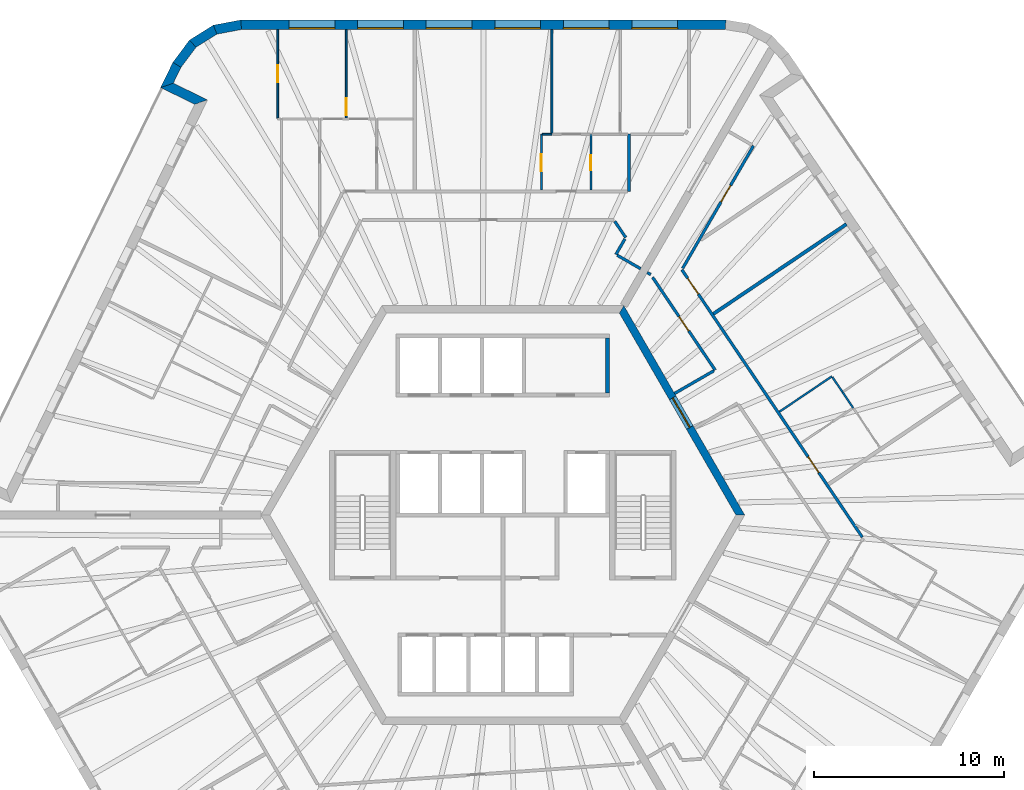
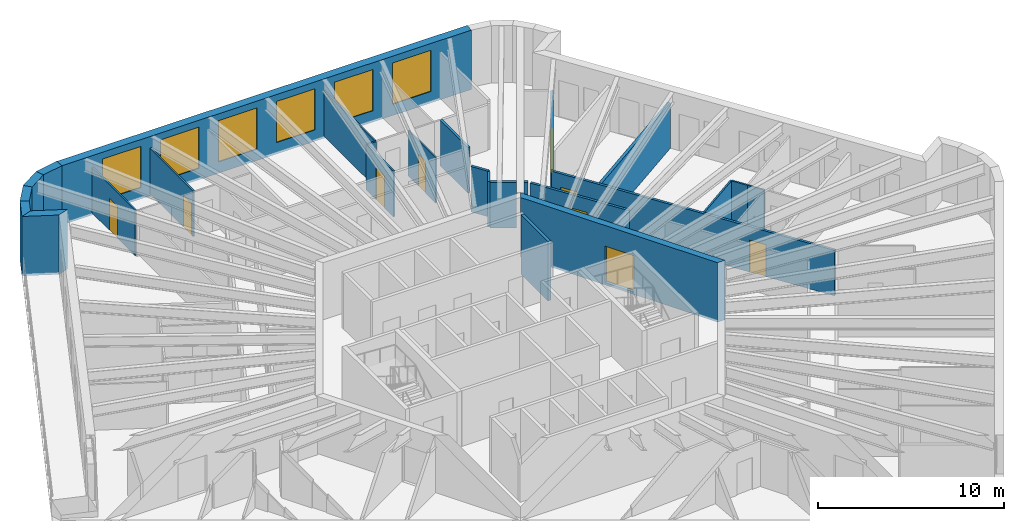
# One storey, part 9 of 12: 27 walls, 9 doors, 6 windows, 15 openings.
"""IFC4 building model written with IfcOpenShell, lengths in metres."""

from ifc_helpers import new_model, si_unit, direction, frame, frame_2d, origin, place, context, subcontext, project, spatial, polyline, rectangle, outline, extrude, material, layer, layer_set, type_object, element, fill, save


model = new_model("IFC4")

# Units and contexts
model_context = context("Model", 3, precision=1e-05, world=origin(), true_north=direction((0.0, 1.0)))
body_context = subcontext(model_context, "Body", "Model", "MODEL_VIEW")
ifc_project = project(units=[si_unit("LENGTHUNIT", "METRE"), si_unit("AREAUNIT", "SQUARE_METRE"), si_unit("VOLUMEUNIT", "CUBIC_METRE"), si_unit("PLANEANGLEUNIT", "RADIAN"), si_unit("MASSUNIT", "GRAM", prefix="KILO")], contexts=[model_context])

# Site, building, storey
site_placement = place(None, origin())
site = spatial("IfcSite", under=ifc_project, at=site_placement, CompositionType="ELEMENT")
building_placement = place(site_placement, origin())
building = spatial("IfcBuilding", under=site, at=building_placement, Name="Tarnside Tower", CompositionType="ELEMENT")
storey_placement = place(building_placement, frame((0.0, 0.0, 306.89990234375)))
storey = spatial("IfcBuildingStorey", under=building, at=storey_placement, Name="L74", CompositionType="ELEMENT", Elevation=306.89990234375)

# Wall, opening, door
ifc_material_1 = material(Name="Gypsum board partition on steel studs", Category="steel")
ifc_layer_1 = layer(ifc_material_1, 0.10009765625)
ifc_layer_set_1 = layer_set([ifc_layer_1], Name="Bathroom wall 100")
wall_type_1 = type_object("IfcWallType", Name="Bathroom wall 100", PredefinedType="PARTITIONING", material=ifc_layer_set_1)
wall_1_placement = place(storey_placement, frame((4.626708984375, 17.074951171875, 0.0), z_axis=(0.0, 0.0, 1.0), x_axis=(0.0, 1.0, 0.0)))
wall_1 = element("IfcWall", 1, at=wall_1_placement, inside=storey, type_object=wall_type_1, Name="Bathroom wall 24088", PredefinedType="PARTITIONING", context=body_context, shape_type="SweptSolid", body=[
    extrude(rectangle(XDim=2.925048828125, YDim=0.10009765625, at=frame_2d((1.46240234375, 0.0))), origin(), (0.0, 0.0, 1.0), 2.98779296875),
])
opening_1_placement = place(wall_1_placement, frame((1.02490234375, 0.0, 0.0)))
opening_1 = element("IfcOpeningElement", 2, at=opening_1_placement, cuts=wall_1, Name="Opening D-B1", PredefinedType="OPENING", context=body_context, shape_type="SweptSolid", body=[
    extrude(rectangle(XDim=0.800048828125, YDim=2.10009765625, at=frame_2d((0.39990234375, 1.050048828125))), frame((0.0, 0.06005859375, 0.0), z_axis=(0.0, -1.0, 0.0), x_axis=(1.0, 0.0, 0.0)), (0.0, 0.0, 1.0), 0.1201171875),
])
ifc_material_2 = material(Name="Timber door leaf", Category="wood")
door_type_1 = type_object("IfcDoorType", Name="Bathroom door 800", OperationType="NOTDEFINED", PredefinedType="DOOR", material=ifc_material_2)
door_1_placement = place(opening_1_placement, origin())
door_1 = element("IfcDoor", 3, at=door_1_placement, inside=storey, type_object=door_type_1, Name="Bathroom door 24002", OperationType="SINGLE_SWING_RIGHT", OverallHeight=2.10009765625, OverallWidth=0.800048828125, PredefinedType="DOOR", context=body_context, shape_type="SweptSolid", body=[
    extrude(rectangle(XDim=0.800048828125, YDim=2.10009765625, at=frame_2d((0.39990234375, 1.050048828125))), frame((0.0, 0.02490234375, 0.0), z_axis=(0.0, -1.0, 0.0), x_axis=(1.0, 0.0, 0.0)), (0.0, 0.0, 1.0), 0.050048828125),
])
fill(opening_1, door_1)

# Walls
wall_2_placement = place(storey_placement, frame((14.524658203125, 5.4248046875, 0.0), z_axis=(0.0, 0.0, 1.0), x_axis=(0.82903334026, 0.559199178055, 0.0)))
element("IfcWall", 4, at=wall_2_placement, inside=storey, type_object=wall_type_1, Name="Bathroom wall 24159", PredefinedType="PARTITIONING", context=body_context, shape_type="SweptSolid", body=[
    extrude(rectangle(XDim=3.324951171875, YDim=0.10009765625, at=frame_2d((1.66259765625, 0.0))), origin(), (0.0, 0.0, 1.0), 2.98779296875),
])
wall_3_placement = place(storey_placement, frame((17.30908203125, 7.24267578125, 0.0), z_axis=(0.0, 0.0, 1.0), x_axis=(0.559248234521, -0.829000248604, 0.0)))
element("IfcWall", 5, at=wall_3_placement, inside=storey, type_object=wall_type_1, Name="Bathroom wall 24160", PredefinedType="PARTITIONING", context=body_context, shape_type="SweptSolid", body=[
    extrude(rectangle(XDim=0.9521484375, YDim=0.10009765625, at=frame_2d((0.47607421875, 0.0))), origin(), (0.0, 0.0, 1.0), 2.98779296875),
])
wall_4_placement = place(storey_placement, frame((18.400634765625, 5.624267578125, 0.0), z_axis=(0.0, 0.0, 1.0), x_axis=(-0.559133879296, 0.829077381806, 0.0)))
element("IfcWall", 6, at=wall_4_placement, inside=storey, type_object=wall_type_1, Name="Bathroom wall 24165", PredefinedType="PARTITIONING", context=body_context, shape_type="SweptSolid", body=[
    extrude(rectangle(XDim=1.002197265625, YDim=0.10009765625, at=frame_2d((0.5009765625, 0.0))), origin(), (0.0, 0.0, 1.0), 2.98779296875),
])

# Wall, opening, door
ifc_material_3 = material(Name="Concrete C60/75", Category="concrete")
ifc_layer_2 = layer(ifc_material_3, 0.39990234375)
ifc_layer_set_2 = layer_set([ifc_layer_2], Name="Core wall Z3 400 C60/75")
wall_type_2 = type_object("IfcWallType", Name="Core wall Z3 400 C60/75", PredefinedType="SHEAR", material=ifc_layer_set_2)
wall_5_placement = place(storey_placement, frame((12.470703125, 0.0, -0.14990234375), z_axis=(0.0, 0.0, 1.0), x_axis=(-0.499996419489, 0.866027470984, 0.0)))
wall_5 = element("IfcWall", 7, at=wall_5_placement, inside=storey, type_object=wall_type_2, Name="L74 core wall face 6", PredefinedType="SHEAR", context=body_context, shape_type="SweptSolid", body=[
    extrude(outline(polyline([(-0.115478515625, -0.199951171875), (12.586181640625, -0.199951171875), (12.355224609375, 0.199951171875), (0.115478515625, 0.199951171875), (-0.115478515625, -0.199951171875)])), origin(), (0.0, 0.0, 1.0), 3.89990234375),
])
opening_2_placement = place(wall_5_placement, frame((5.306396484375, 0.0, 0.14990234375)))
opening_2 = element("IfcOpeningElement", 8, at=opening_2_placement, cuts=wall_5, Name="Opening CD-LOB", PredefinedType="OPENING", context=body_context, shape_type="SweptSolid", body=[
    extrude(rectangle(XDim=1.800048828125, YDim=2.39990234375, at=frame_2d((0.89990234375, 1.199951171875))), frame((0.0, 0.2099609375, 0.0), z_axis=(0.0, -1.0, 0.0), x_axis=(1.0, 0.0, 0.0)), (0.0, 0.0, 1.0), 0.419921875),
])
ifc_material_4 = material(Name="Steel fire door", Category="steel")
door_type_2 = type_object("IfcDoorType", Name="Lobby double door FD30S 1800x2400", OperationType="NOTDEFINED", PredefinedType="DOOR", material=ifc_material_4)
door_2_placement = place(opening_2_placement, origin())
door_2 = element("IfcDoor", 9, at=door_2_placement, inside=storey, type_object=door_type_2, Name="L74 core door P2", OperationType="DOUBLE_DOOR_SINGLE_SWING", OverallHeight=2.39990234375, OverallWidth=1.800048828125, PredefinedType="DOOR", context=body_context, shape_type="SweptSolid", body=[
    extrude(rectangle(XDim=1.800048828125, YDim=2.39990234375, at=frame_2d((0.89990234375, 1.199951171875))), frame((0.0, 0.02490234375, 0.0), z_axis=(0.0, -1.0, 0.0), x_axis=(1.0, 0.0, 0.0)), (0.0, 0.0, 1.0), 0.050048828125),
])
fill(opening_2, door_2)

# Walls
ifc_layer_3 = layer(ifc_material_1, 0.14990234375)
ifc_layer_set_3 = layer_set([ifc_layer_3], Name="Corridor wall 150 EI 60")
wall_type_3 = type_object("IfcWallType", Name="Corridor wall 150 EI 60", PredefinedType="PARTITIONING", material=ifc_layer_set_3)
wall_6_placement = place(storey_placement, frame((6.626708984375, 20.0, 0.0), z_axis=(0.0, 0.0, 1.0), x_axis=(0.0, -1.0, 0.0)))
element("IfcWall", 10, at=wall_6_placement, inside=storey, type_object=wall_type_3, Name="Corridor wall 24003", PredefinedType="PARTITIONING", context=body_context, shape_type="SweptSolid", body=[
    extrude(rectangle(XDim=3.0, YDim=0.14990234375, at=frame_2d((1.5, 0.0))), origin(), (0.0, 0.0, 1.0), 2.98779296875),
])
wall_7_placement = place(storey_placement, frame((5.879638671875, 15.425048828125, 0.0), z_axis=(0.0, 0.0, 1.0), x_axis=(0.559202631314, -0.829031010959, 0.0)))
element("IfcWall", 11, at=wall_7_placement, inside=storey, type_object=wall_type_3, Name="Corridor wall 24020", PredefinedType="PARTITIONING", context=body_context, shape_type="SweptSolid", body=[
    extrude(rectangle(XDim=1.024169921875, YDim=0.14990234375, at=frame_2d((0.51220703125, 0.0))), origin(), (0.0, 0.0, 1.0), 2.98779296875),
])
wall_8_placement = place(storey_placement, frame((6.41064453125, 14.503662109375, 0.0), z_axis=(0.0, 0.0, 1.0), x_axis=(-0.499998034377, -0.866026538634, 0.0)))
element("IfcWall", 12, at=wall_8_placement, inside=storey, type_object=wall_type_3, Name="Corridor wall 24021", PredefinedType="PARTITIONING", context=body_context, shape_type="SweptSolid", body=[
    extrude(rectangle(XDim=0.94580078125, YDim=0.14990234375, at=frame_2d((0.472900390625, 0.0))), origin(), (0.0, 0.0, 1.0), 2.98779296875),
])
wall_9_placement = place(storey_placement, frame((6.002685546875, 13.647216796875, 0.0), z_axis=(0.0, 0.0, 1.0), x_axis=(0.865988727248, -0.500063520245, 0.0)))
element("IfcWall", 13, at=wall_9_placement, inside=storey, type_object=wall_type_3, Name="Corridor wall 24022", PredefinedType="PARTITIONING", context=body_context, shape_type="SweptSolid", body=[
    extrude(rectangle(XDim=1.425048828125, YDim=0.14990234375, at=frame_2d((0.71240234375, 0.0))), origin(), (0.0, 0.0, 1.0), 2.98779296875),
])

# Wall, openings, doors
wall_10_placement = place(storey_placement, frame((18.87451171875, -1.158203125, 0.0), z_axis=(0.0, 0.0, 1.0), x_axis=(-0.55919880344, 0.829033592945, 0.0)))
wall_10 = element("IfcWall", 14, at=wall_10_placement, inside=storey, type_object=wall_type_3, Name="Corridor wall 24060", PredefinedType="PARTITIONING", context=body_context, shape_type="SweptSolid", body=[
    extrude(rectangle(XDim=16.939208984375, YDim=0.14990234375, at=frame_2d((8.4697265625, 0.0))), origin(), (0.0, 0.0, 1.0), 2.98779296875),
])
opening_3_placement = place(wall_10_placement, frame((4.090087890625, 0.0, 0.0)))
opening_3 = element("IfcOpeningElement", 15, at=opening_3_placement, cuts=wall_10, Name="Opening D-E1", PredefinedType="OPENING", context=body_context, shape_type="SweptSolid", body=[
    extrude(rectangle(XDim=1.0, YDim=2.10009765625, at=frame_2d((0.5, 1.050048828125))), frame((0.0, 0.0849609375, 0.0), z_axis=(0.0, -1.0, 0.0), x_axis=(1.0, 0.0, 0.0)), (0.0, 0.0, 1.0), 0.169921875),
])
opening_4_placement = place(wall_10_placement, frame((15.39013671875, 0.0, 0.0)))
opening_4 = element("IfcOpeningElement", 16, at=opening_4_placement, cuts=wall_10, Name="Opening D-E1", PredefinedType="OPENING", context=body_context, shape_type="SweptSolid", body=[
    extrude(rectangle(XDim=1.0, YDim=2.10009765625, at=frame_2d((0.5, 1.050048828125))), frame((0.0, 0.0849609375, 0.0), z_axis=(0.0, -1.0, 0.0), x_axis=(1.0, 0.0, 0.0)), (0.0, 0.0, 1.0), 0.169921875),
])
door_type_3 = type_object("IfcDoorType", Name="Unit entrance door 1000 FD30S", OperationType="NOTDEFINED", PredefinedType="DOOR", material=ifc_material_2)
door_3_placement = place(opening_3_placement, origin())
door_3 = element("IfcDoor", 17, at=door_3_placement, inside=storey, type_object=door_type_3, Name="Unit door 24054", OperationType="SINGLE_SWING_LEFT", OverallHeight=2.10009765625, OverallWidth=1.0, PredefinedType="DOOR", context=body_context, shape_type="SweptSolid", body=[
    extrude(rectangle(XDim=1.0, YDim=2.10009765625, at=frame_2d((0.5, 1.050048828125))), frame((0.0, 0.02490234375, 0.0), z_axis=(0.0, -1.0, 0.0), x_axis=(1.0, 0.0, 0.0)), (0.0, 0.0, 1.0), 0.050048828125),
])
fill(opening_3, door_3)
door_4_placement = place(opening_4_placement, origin())
door_4 = element("IfcDoor", 18, at=door_4_placement, inside=storey, type_object=door_type_3, Name="Unit door 24059", OperationType="SINGLE_SWING_LEFT", OverallHeight=2.10009765625, OverallWidth=1.0, PredefinedType="DOOR", context=body_context, shape_type="SweptSolid", body=[
    extrude(rectangle(XDim=1.0, YDim=2.10009765625, at=frame_2d((0.5, 1.050048828125))), frame((0.0, 0.02490234375, 0.0), z_axis=(0.0, -1.0, 0.0), x_axis=(1.0, 0.0, 0.0)), (0.0, 0.0, 1.0), 0.050048828125),
])
fill(opening_4, door_4)

# Wall, opening, door
wall_11_placement = place(storey_placement, frame((9.44384765625, 12.957275390625, 0.0), z_axis=(0.0, 0.0, 1.0), x_axis=(0.500004967958, 0.866022535513, 0.0)))
wall_11 = element("IfcWall", 19, at=wall_11_placement, inside=storey, type_object=wall_type_3, Name="Corridor wall 24068", PredefinedType="PARTITIONING", context=body_context, shape_type="SweptSolid", body=[
    extrude(rectangle(XDim=7.4306640625, YDim=0.14990234375, at=frame_2d((3.71533203125, 0.0))), origin(), (0.0, 0.0, 1.0), 2.98779296875),
])
opening_5_placement = place(wall_11_placement, frame((4.02978515625, 0.0, 0.0)))
opening_5 = element("IfcOpeningElement", 20, at=opening_5_placement, cuts=wall_11, Name="Opening D-E1", PredefinedType="OPENING", context=body_context, shape_type="SweptSolid", body=[
    extrude(rectangle(XDim=1.0, YDim=2.10009765625, at=frame_2d((0.5, 1.050048828125))), frame((0.0, 0.0849609375, 0.0), z_axis=(0.0, -1.0, 0.0), x_axis=(1.0, 0.0, 0.0)), (0.0, 0.0, 1.0), 0.169921875),
])
door_5_placement = place(opening_5_placement, origin())
door_5 = element("IfcDoor", 21, at=door_5_placement, inside=storey, type_object=door_type_3, Name="Unit door 24060", OperationType="SINGLE_SWING_RIGHT", OverallHeight=2.10009765625, OverallWidth=1.0, PredefinedType="DOOR", context=body_context, shape_type="SweptSolid", body=[
    extrude(rectangle(XDim=1.0, YDim=2.10009765625, at=frame_2d((0.5, 1.050048828125))), frame((0.0, 0.02490234375, 0.0), z_axis=(0.0, -1.0, 0.0), x_axis=(1.0, 0.0, 0.0)), (0.0, 0.0, 1.0), 0.050048828125),
])
fill(opening_5, door_5)

# Wall
wall_12_placement = place(storey_placement, frame((7.583251953125, 12.734619140625, 0.0), z_axis=(0.0, 0.0, 1.0), x_axis=(0.866088799389, -0.499890179513, 0.0)))
element("IfcWall", 22, at=wall_12_placement, inside=storey, type_object=wall_type_3, Name="Corridor wall 24080", PredefinedType="PARTITIONING", context=body_context, shape_type="SweptSolid", body=[
    extrude(rectangle(XDim=0.2099609375, YDim=0.14990234375, at=frame_2d((0.10498046875, 0.0))), origin(), (0.0, 0.0, 1.0), 2.98779296875),
])

# Wall, opening, door
wall_13_placement = place(storey_placement, frame((7.86083984375, 12.48779296875, 0.0), z_axis=(0.0, 0.0, 1.0), x_axis=(0.559178186788, -0.829047498893, 0.0)))
wall_13 = element("IfcWall", 23, at=wall_13_placement, inside=storey, type_object=wall_type_3, Name="Corridor wall 24081", PredefinedType="PARTITIONING", context=body_context, shape_type="SweptSolid", body=[
    extrude(rectangle(XDim=5.877685546875, YDim=0.14990234375, at=frame_2d((2.93896484375, 0.0))), origin(), (0.0, 0.0, 1.0), 2.98779296875),
])
opening_6_placement = place(wall_13_placement, frame((2.48876953125, 0.0, 0.0)))
opening_6 = element("IfcOpeningElement", 24, at=opening_6_placement, cuts=wall_13, Name="Opening D-S1", PredefinedType="OPENING", context=body_context, shape_type="SweptSolid", body=[
    extrude(rectangle(XDim=0.89990234375, YDim=2.10009765625, at=frame_2d((0.449951171875, 1.050048828125))), frame((0.0, 0.0849609375, 0.0), z_axis=(0.0, -1.0, 0.0), x_axis=(1.0, 0.0, 0.0)), (0.0, 0.0, 1.0), 0.169921875),
])
door_type_4 = type_object("IfcDoorType", Name="Service room door 900 FD30S", OperationType="NOTDEFINED", PredefinedType="DOOR", material=ifc_material_2)
door_6_placement = place(opening_6_placement, origin())
door_6 = element("IfcDoor", 25, at=door_6_placement, inside=storey, type_object=door_type_4, Name="Service door 24069", OperationType="SINGLE_SWING_RIGHT", OverallHeight=2.10009765625, OverallWidth=0.89990234375, PredefinedType="DOOR", context=body_context, shape_type="SweptSolid", body=[
    extrude(rectangle(XDim=0.89990234375, YDim=2.10009765625, at=frame_2d((0.449951171875, 1.050048828125))), frame((0.0, 0.02490234375, 0.0), z_axis=(0.0, -1.0, 0.0), x_axis=(1.0, 0.0, 0.0)), (0.0, 0.0, 1.0), 0.050048828125),
])
fill(opening_6, door_6)

# Walls
wall_14_placement = place(storey_placement, frame((11.082275390625, 7.57763671875, 0.0), z_axis=(0.0, 0.0, 1.0), x_axis=(-0.865993065409, -0.500056007527, 0.0)))
element("IfcWall", 26, at=wall_14_placement, inside=storey, type_object=wall_type_3, Name="Corridor wall 24082", PredefinedType="PARTITIONING", context=body_context, shape_type="SweptSolid", body=[
    extrude(rectangle(XDim=2.386474609375, YDim=0.14990234375, at=frame_2d((1.193359375, 0.0))), origin(), (0.0, 0.0, 1.0), 2.98779296875),
])
ifc_layer_4 = layer(ifc_material_1, 0.179931640625)
ifc_layer_set_4 = layer_set([ifc_layer_4], Name="Demising wall 180 EI 60")
wall_type_4 = type_object("IfcWallType", Name="Demising wall 180 EI 60", PredefinedType="PARTITIONING", material=ifc_layer_set_4)
wall_15_placement = place(storey_placement, frame((18.042236328125, 15.276123046875, 0.0), z_axis=(0.0, 0.0, 1.0), x_axis=(-0.829037762759, -0.559192621481, 0.0)))
element("IfcWall", 27, at=wall_15_placement, inside=storey, type_object=wall_type_4, Name="Demising wall 24162", PredefinedType="PARTITIONING", context=body_context, shape_type="SweptSolid", body=[
    extrude(rectangle(XDim=8.425048828125, YDim=0.179931640625, at=frame_2d((4.21240234375, 0.0))), origin(), (0.0, 0.0, 1.0), 2.98779296875),
])
ifc_material_5 = material(Name="Concrete C40/50", Category="concrete")
ifc_layer_5 = layer(ifc_material_5, 0.199951171875)
ifc_layer_set_5 = layer_set([ifc_layer_5], Name="Lift shaft wall 200 C40/50")
wall_type_5 = type_object("IfcWallType", Name="Lift shaft wall 200 C40/50", PredefinedType="SHEAR", material=ifc_layer_set_5)
wall_16_placement = place(storey_placement, frame((5.5, 6.39990234375, -0.25), z_axis=(0.0, 0.0, 1.0), x_axis=(0.0, 1.0, 0.0)))
element("IfcWall", 28, at=wall_16_placement, inside=storey, type_object=wall_type_5, Name="L74 lift shaft partition R16", PredefinedType="SHEAR", context=body_context, shape_type="SweptSolid", body=[
    extrude(rectangle(XDim=2.900146484375, YDim=0.199951171875, at=frame_2d((1.4501953125, 0.0))), origin(), (0.0, 0.0, 1.0), 3.900146484375),
])
ifc_material_6 = material(Name="Dark zinc cladding")
ifc_layer_6 = layer(ifc_material_6, 0.10205078125)
ifc_material_7 = material(Name="Concrete C60/75 precast", Category="concrete")
ifc_layer_7 = layer(ifc_material_7, 0.298095703125)
ifc_material_8 = material(Name="Mineral wool insulation")
ifc_layer_8 = layer(ifc_material_8, 0.10009765625)
ifc_layer_set_6 = layer_set([ifc_layer_6, ifc_layer_7, ifc_layer_8], Name="Loggia wall 500 zinc faced")
wall_type_6 = type_object("IfcWallType", Name="Loggia wall 500 zinc faced", PredefinedType="SOLIDWALL", material=ifc_layer_set_6)
wall_17_placement = place(storey_placement, frame((-17.11767578125, 23.643798828125, -0.14990234375), z_axis=(0.0, 0.0, 1.0), x_axis=(-0.438319390103, -0.898819287877, 0.0)))
element("IfcWall", 29, at=wall_17_placement, inside=storey, type_object=wall_type_6, Name="Tube wall L74 F2 stub 04", PredefinedType="SOLIDWALL", context=body_context, shape_type="SweptSolid", body=[
    extrude(outline(polyline([(-0.0234375, -0.25), (1.44970703125, -0.25), (0.94970703125, 0.25), (0.0234375, 0.25), (-0.0234375, -0.25)])), origin(), (0.0, 0.0, 1.0), 3.89990234375),
])
wall_18_placement = place(storey_placement, frame((-17.6435546875, 22.5654296875, -0.14990234375), z_axis=(0.0, 0.0, 1.0), x_axis=(0.898754367686, -0.43845249066, 0.0)))
element("IfcWall", 30, at=wall_18_placement, inside=storey, type_object=wall_type_6, Name="Tube wall L74 F2 return 05", PredefinedType="SOLIDWALL", context=body_context, shape_type="SweptSolid", body=[
    extrude(outline(polyline([(-0.25, -0.25), (1.75, -0.25), (2.25, 0.25), (0.25, 0.25), (-0.25, -0.25)])), origin(), (0.0, 0.0, 1.0), 3.89990234375),
])

# Wall, opening, door
ifc_layer_9 = layer(ifc_material_1, 0.10009765625)
ifc_layer_set_7 = layer_set([ifc_layer_9], Name="Partition 100")
wall_type_7 = type_object("IfcWallType", Name="Partition 100", PredefinedType="PARTITIONING", material=ifc_layer_set_7)
wall_19_placement = place(storey_placement, frame((2.026611328125, 17.074951171875, 0.0), z_axis=(0.0, 0.0, 1.0), x_axis=(0.0, 1.0, 0.0)))
wall_19 = element("IfcWall", 31, at=wall_19_placement, inside=storey, type_object=wall_type_7, Name="Partition wall 24083", PredefinedType="PARTITIONING", context=body_context, shape_type="SweptSolid", body=[
    extrude(rectangle(XDim=2.925048828125, YDim=0.10009765625, at=frame_2d((1.46240234375, 0.0))), origin(), (0.0, 0.0, 1.0), 2.98779296875),
])
opening_7_placement = place(wall_19_placement, frame((0.97509765625, 0.0, 0.0)))
opening_7 = element("IfcOpeningElement", 32, at=opening_7_placement, cuts=wall_19, Name="Opening D-I1", PredefinedType="OPENING", context=body_context, shape_type="SweptSolid", body=[
    extrude(rectangle(XDim=0.89990234375, YDim=2.10009765625, at=frame_2d((0.449951171875, 1.050048828125))), frame((0.0, 0.06005859375, 0.0), z_axis=(0.0, -1.0, 0.0), x_axis=(1.0, 0.0, 0.0)), (0.0, 0.0, 1.0), 0.1201171875),
])
door_type_5 = type_object("IfcDoorType", Name="Internal door 900", OperationType="NOTDEFINED", PredefinedType="DOOR", material=ifc_material_2)
door_7_placement = place(opening_7_placement, origin())
door_7 = element("IfcDoor", 33, at=door_7_placement, inside=storey, type_object=door_type_5, Name="Internal door 24003", OperationType="SINGLE_SWING_RIGHT", OverallHeight=2.10009765625, OverallWidth=0.89990234375, PredefinedType="DOOR", context=body_context, shape_type="SweptSolid", body=[
    extrude(rectangle(XDim=0.89990234375, YDim=2.10009765625, at=frame_2d((0.449951171875, 1.050048828125))), frame((0.0, 0.02490234375, 0.0), z_axis=(0.0, -1.0, 0.0), x_axis=(1.0, 0.0, 0.0)), (0.0, 0.0, 1.0), 0.050048828125),
])
fill(opening_7, door_7)

# Walls
wall_20_placement = place(storey_placement, frame((2.07666015625, 20.0, 0.0), z_axis=(0.0, 0.0, 1.0), x_axis=(1.0, 0.0, 0.0)))
element("IfcWall", 34, at=wall_20_placement, inside=storey, type_object=wall_type_7, Name="Partition wall 24084", PredefinedType="PARTITIONING", context=body_context, shape_type="SweptSolid", body=[
    extrude(rectangle(XDim=0.50048828125, YDim=0.10009765625, at=frame_2d((0.250244140625, 0.0))), origin(), (0.0, 0.0, 1.0), 2.98779296875),
])
wall_21_placement = place(storey_placement, frame((2.5751953125, 20.050048828125, 0.0), z_axis=(0.0, 0.0, 1.0), x_axis=(0.0, 1.0, 0.0)))
element("IfcWall", 35, at=wall_21_placement, inside=storey, type_object=wall_type_7, Name="Partition wall 24085", PredefinedType="PARTITIONING", context=body_context, shape_type="SweptSolid", body=[
    extrude(rectangle(XDim=5.449951171875, YDim=0.10009765625, at=frame_2d((2.72509765625, 0.0))), origin(), (0.0, 0.0, 1.0), 2.98779296875),
])

# Wall, opening, door
wall_22_placement = place(storey_placement, frame((-11.82470703125, 20.85009765625, 0.0), z_axis=(0.0, 0.0, 1.0), x_axis=(0.0, 1.0, 0.0)))
wall_22 = element("IfcWall", 36, at=wall_22_placement, inside=storey, type_object=wall_type_7, Name="Partition wall 24094", PredefinedType="PARTITIONING", context=body_context, shape_type="SweptSolid", body=[
    extrude(rectangle(XDim=4.64990234375, YDim=0.10009765625, at=frame_2d((2.324951171875, 0.0))), origin(), (0.0, 0.0, 1.0), 2.98779296875),
])
opening_8_placement = place(wall_22_placement, frame((1.875, 0.0, 0.0)))
opening_8 = element("IfcOpeningElement", 37, at=opening_8_placement, cuts=wall_22, Name="Opening D-I1", PredefinedType="OPENING", context=body_context, shape_type="SweptSolid", body=[
    extrude(rectangle(XDim=0.89990234375, YDim=2.10009765625, at=frame_2d((0.449951171875, 1.050048828125))), frame((0.0, 0.06005859375, 0.0), z_axis=(0.0, -1.0, 0.0), x_axis=(1.0, 0.0, 0.0)), (0.0, 0.0, 1.0), 0.1201171875),
])
door_8_placement = place(opening_8_placement, origin())
door_8 = element("IfcDoor", 38, at=door_8_placement, inside=storey, type_object=door_type_5, Name="Internal door 24061", OperationType="SINGLE_SWING_LEFT", OverallHeight=2.10009765625, OverallWidth=0.89990234375, PredefinedType="DOOR", context=body_context, shape_type="SweptSolid", body=[
    extrude(rectangle(XDim=0.89990234375, YDim=2.10009765625, at=frame_2d((0.449951171875, 1.050048828125))), frame((0.0, 0.02490234375, 0.0), z_axis=(0.0, -1.0, 0.0), x_axis=(1.0, 0.0, 0.0)), (0.0, 0.0, 1.0), 0.050048828125),
])
fill(opening_8, door_8)

wall_23_placement = place(storey_placement, frame((-8.224853515625, 25.5, 0.0), z_axis=(0.0, 0.0, 1.0), x_axis=(0.0, -1.0, 0.0)))
wall_23 = element("IfcWall", 39, at=wall_23_placement, inside=storey, type_object=wall_type_7, Name="Partition wall 24103", PredefinedType="PARTITIONING", context=body_context, shape_type="SweptSolid", body=[
    extrude(rectangle(XDim=4.64990234375, YDim=0.10009765625, at=frame_2d((2.324951171875, 0.0))), origin(), (0.0, 0.0, 1.0), 2.98779296875),
])
opening_9_placement = place(wall_23_placement, frame((3.60009765625, 0.0, 0.0)))
opening_9 = element("IfcOpeningElement", 40, at=opening_9_placement, cuts=wall_23, Name="Opening D-I1", PredefinedType="OPENING", context=body_context, shape_type="SweptSolid", body=[
    extrude(rectangle(XDim=0.89990234375, YDim=2.10009765625, at=frame_2d((0.449951171875, 1.050048828125))), frame((0.0, 0.06005859375, 0.0), z_axis=(0.0, -1.0, 0.0), x_axis=(1.0, 0.0, 0.0)), (0.0, 0.0, 1.0), 0.1201171875),
])
door_9_placement = place(opening_9_placement, origin())
door_9 = element("IfcDoor", 41, at=door_9_placement, inside=storey, type_object=door_type_5, Name="Internal door 24014", OperationType="SINGLE_SWING_RIGHT", OverallHeight=2.10009765625, OverallWidth=0.89990234375, PredefinedType="DOOR", context=body_context, shape_type="SweptSolid", body=[
    extrude(rectangle(XDim=0.89990234375, YDim=2.10009765625, at=frame_2d((0.449951171875, 1.050048828125))), frame((0.0, 0.02490234375, 0.0), z_axis=(0.0, -1.0, 0.0), x_axis=(1.0, 0.0, 0.0)), (0.0, 0.0, 1.0), 0.050048828125),
])
fill(opening_9, door_9)

# Wall, openings, windows
ifc_material_9 = material(Name="Facing brick", Category="masonry")
ifc_layer_10 = layer(ifc_material_9, 0.10205078125)
ifc_layer_11 = layer(ifc_material_7, 0.298095703125)
ifc_layer_12 = layer(ifc_material_8, 0.10009765625)
ifc_layer_set_8 = layer_set([ifc_layer_10, ifc_layer_11, ifc_layer_12], Name="Tube wall 500 brick faced")
wall_type_8 = type_object("IfcWallType", Name="Tube wall 500 brick faced", PredefinedType="SOLIDWALL", material=ifc_layer_set_8)
wall_24_placement = place(storey_placement, frame((11.697509765625, 25.75, -0.14990234375), z_axis=(0.0, 0.0, 1.0), x_axis=(-1.0, 0.0, 0.0)))
wall_24 = element("IfcWall", 42, at=wall_24_placement, inside=storey, type_object=wall_type_8, Name="Tube wall L74 F1 flush 00", PredefinedType="SOLIDWALL", context=body_context, shape_type="SweptSolid", body=[
    extrude(outline(polyline([(-0.0205078125, -0.25), (25.468017578125, -0.25), (25.421142578125, 0.25), (0.0205078125, 0.25), (-0.0205078125, -0.25)])), origin(), (0.0, 0.0, 1.0), 3.89990234375),
])
opening_10_placement = place(wall_24_placement, frame((2.5224609375, 0.0, 0.75)))
opening_10 = element("IfcOpeningElement", 43, at=opening_10_placement, cuts=wall_24, Name="Opening WR", PredefinedType="OPENING", context=body_context, shape_type="SweptSolid", body=[
    extrude(rectangle(XDim=2.39990234375, YDim=2.699951171875, at=frame_2d((1.199951171875, 1.35009765625))), frame((0.0, 0.260009765625, 0.0), z_axis=(0.0, -1.0, 0.0), x_axis=(1.0, 0.0, 0.0)), (0.0, 0.0, 1.0), 0.52001953125),
])
opening_11_placement = place(wall_24_placement, frame((6.122314453125, 0.0, 0.75)))
opening_11 = element("IfcOpeningElement", 44, at=opening_11_placement, cuts=wall_24, Name="Opening WR", PredefinedType="OPENING", context=body_context, shape_type="SweptSolid", body=[
    extrude(rectangle(XDim=2.39990234375, YDim=2.699951171875, at=frame_2d((1.199951171875, 1.35009765625))), frame((0.0, 0.260009765625, 0.0), z_axis=(0.0, -1.0, 0.0), x_axis=(1.0, 0.0, 0.0)), (0.0, 0.0, 1.0), 0.52001953125),
])
opening_12_placement = place(wall_24_placement, frame((9.722412109375, 0.0, 0.75)))
opening_12 = element("IfcOpeningElement", 45, at=opening_12_placement, cuts=wall_24, Name="Opening WR", PredefinedType="OPENING", context=body_context, shape_type="SweptSolid", body=[
    extrude(rectangle(XDim=2.39990234375, YDim=2.699951171875, at=frame_2d((1.199951171875, 1.35009765625))), frame((0.0, 0.260009765625, 0.0), z_axis=(0.0, -1.0, 0.0), x_axis=(1.0, 0.0, 0.0)), (0.0, 0.0, 1.0), 0.52001953125),
])
opening_13_placement = place(wall_24_placement, frame((13.322509765625, 0.0, 0.75)))
opening_13 = element("IfcOpeningElement", 46, at=opening_13_placement, cuts=wall_24, Name="Opening WR", PredefinedType="OPENING", context=body_context, shape_type="SweptSolid", body=[
    extrude(rectangle(XDim=2.39990234375, YDim=2.699951171875, at=frame_2d((1.199951171875, 1.35009765625))), frame((0.0, 0.260009765625, 0.0), z_axis=(0.0, -1.0, 0.0), x_axis=(1.0, 0.0, 0.0)), (0.0, 0.0, 1.0), 0.52001953125),
])
opening_14_placement = place(wall_24_placement, frame((16.92236328125, 0.0, 0.75)))
opening_14 = element("IfcOpeningElement", 47, at=opening_14_placement, cuts=wall_24, Name="Opening WR", PredefinedType="OPENING", context=body_context, shape_type="SweptSolid", body=[
    extrude(rectangle(XDim=2.39990234375, YDim=2.699951171875, at=frame_2d((1.199951171875, 1.35009765625))), frame((0.0, 0.260009765625, 0.0), z_axis=(0.0, -1.0, 0.0), x_axis=(1.0, 0.0, 0.0)), (0.0, 0.0, 1.0), 0.52001953125),
])
opening_15_placement = place(wall_24_placement, frame((20.5224609375, 0.0, 0.75)))
opening_15 = element("IfcOpeningElement", 48, at=opening_15_placement, cuts=wall_24, Name="Opening WR", PredefinedType="OPENING", context=body_context, shape_type="SweptSolid", body=[
    extrude(rectangle(XDim=2.39990234375, YDim=2.699951171875, at=frame_2d((1.199951171875, 1.35009765625))), frame((0.0, 0.260009765625, 0.0), z_axis=(0.0, -1.0, 0.0), x_axis=(1.0, 0.0, 0.0)), (0.0, 0.0, 1.0), 0.52001953125),
])
ifc_material_10 = material(Name="Aluminium-framed double glazing", Category="aluminium")
window_type = type_object("IfcWindowType", Name="Residence window 2400 x 2700", PartitioningType="DOUBLE_PANEL_VERTICAL", PredefinedType="WINDOW", material=ifc_material_10)
window_1_placement = place(opening_10_placement, frame((0.0, 0.179931640625, 0.0)))
window_1 = element("IfcWindow", 49, at=window_1_placement, inside=storey, type_object=window_type, Name="E.WN.L74.F1.00", OverallHeight=2.699951171875, OverallWidth=2.39990234375, PartitioningType="DOUBLE_PANEL_VERTICAL", PredefinedType="WINDOW", context=body_context, shape_type="SweptSolid", body=[
    extrude(rectangle(XDim=2.39990234375, YDim=2.699951171875, at=frame_2d((1.199951171875, 1.35009765625))), frame((0.0, 0.030029296875, 0.0), z_axis=(0.0, -1.0, 0.0), x_axis=(1.0, 0.0, 0.0)), (0.0, 0.0, 1.0), 0.06005859375),
])
fill(opening_10, window_1)
window_2_placement = place(opening_11_placement, frame((0.0, 0.179931640625, 0.0)))
window_2 = element("IfcWindow", 50, at=window_2_placement, inside=storey, type_object=window_type, Name="E.WN.L74.F1.01", OverallHeight=2.699951171875, OverallWidth=2.39990234375, PartitioningType="DOUBLE_PANEL_VERTICAL", PredefinedType="WINDOW", context=body_context, shape_type="SweptSolid", body=[
    extrude(rectangle(XDim=2.39990234375, YDim=2.699951171875, at=frame_2d((1.199951171875, 1.35009765625))), frame((0.0, 0.030029296875, 0.0), z_axis=(0.0, -1.0, 0.0), x_axis=(1.0, 0.0, 0.0)), (0.0, 0.0, 1.0), 0.06005859375),
])
fill(opening_11, window_2)
window_3_placement = place(opening_12_placement, frame((0.0, 0.179931640625, 0.0)))
window_3 = element("IfcWindow", 51, at=window_3_placement, inside=storey, type_object=window_type, Name="E.WN.L74.F1.02", OverallHeight=2.699951171875, OverallWidth=2.39990234375, PartitioningType="DOUBLE_PANEL_VERTICAL", PredefinedType="WINDOW", context=body_context, shape_type="SweptSolid", body=[
    extrude(rectangle(XDim=2.39990234375, YDim=2.699951171875, at=frame_2d((1.199951171875, 1.35009765625))), frame((0.0, 0.030029296875, 0.0), z_axis=(0.0, -1.0, 0.0), x_axis=(1.0, 0.0, 0.0)), (0.0, 0.0, 1.0), 0.06005859375),
])
fill(opening_12, window_3)
window_4_placement = place(opening_13_placement, frame((0.0, 0.179931640625, 0.0)))
window_4 = element("IfcWindow", 52, at=window_4_placement, inside=storey, type_object=window_type, Name="E.WN.L74.F1.03", OverallHeight=2.699951171875, OverallWidth=2.39990234375, PartitioningType="DOUBLE_PANEL_VERTICAL", PredefinedType="WINDOW", context=body_context, shape_type="SweptSolid", body=[
    extrude(rectangle(XDim=2.39990234375, YDim=2.699951171875, at=frame_2d((1.199951171875, 1.35009765625))), frame((0.0, 0.030029296875, 0.0), z_axis=(0.0, -1.0, 0.0), x_axis=(1.0, 0.0, 0.0)), (0.0, 0.0, 1.0), 0.06005859375),
])
fill(opening_13, window_4)
window_5_placement = place(opening_14_placement, frame((0.0, 0.179931640625, 0.0)))
window_5 = element("IfcWindow", 53, at=window_5_placement, inside=storey, type_object=window_type, Name="E.WN.L74.F1.04", OverallHeight=2.699951171875, OverallWidth=2.39990234375, PartitioningType="DOUBLE_PANEL_VERTICAL", PredefinedType="WINDOW", context=body_context, shape_type="SweptSolid", body=[
    extrude(rectangle(XDim=2.39990234375, YDim=2.699951171875, at=frame_2d((1.199951171875, 1.35009765625))), frame((0.0, 0.030029296875, 0.0), z_axis=(0.0, -1.0, 0.0), x_axis=(1.0, 0.0, 0.0)), (0.0, 0.0, 1.0), 0.06005859375),
])
fill(opening_14, window_5)
window_6_placement = place(opening_15_placement, frame((0.0, 0.179931640625, 0.0)))
window_6 = element("IfcWindow", 54, at=window_6_placement, inside=storey, type_object=window_type, Name="E.WN.L74.F1.05", OverallHeight=2.699951171875, OverallWidth=2.39990234375, PartitioningType="DOUBLE_PANEL_VERTICAL", PredefinedType="WINDOW", context=body_context, shape_type="SweptSolid", body=[
    extrude(rectangle(XDim=2.39990234375, YDim=2.699951171875, at=frame_2d((1.199951171875, 1.35009765625))), frame((0.0, 0.030029296875, 0.0), z_axis=(0.0, -1.0, 0.0), x_axis=(1.0, 0.0, 0.0)), (0.0, 0.0, 1.0), 0.06005859375),
])
fill(opening_15, window_6)

# Walls
wall_25_placement = place(storey_placement, frame((-13.7470703125, 25.75, -0.14990234375), z_axis=(0.0, 0.0, 1.0), x_axis=(-0.982736538448, -0.185010529429, 0.0)))
element("IfcWall", 55, at=wall_25_placement, inside=storey, type_object=wall_type_8, Name="Tube wall L74 F1 chord 01", PredefinedType="SOLIDWALL", context=body_context, shape_type="SweptSolid", body=[
    extrude(outline(polyline([(-0.0234375, -0.25), (1.435302734375, -0.25), (1.341064453125, 0.25), (0.0234375, 0.25), (-0.0234375, -0.25)])), origin(), (0.0, 0.0, 1.0), 3.89990234375),
])
wall_26_placement = place(storey_placement, frame((-15.111328125, 25.4931640625, -0.14990234375), z_axis=(0.0, 0.0, 1.0), x_axis=(-0.847978544293, -0.530030554231, 0.0)))
element("IfcWall", 56, at=wall_26_placement, inside=storey, type_object=wall_type_8, Name="Tube wall L74 F1 chord 02", PredefinedType="SOLIDWALL", context=body_context, shape_type="SweptSolid", body=[
    extrude(outline(polyline([(-0.047119140625, -0.25), (1.435302734375, -0.25), (1.341064453125, 0.25), (0.047119140625, 0.25), (-0.047119140625, -0.25)])), origin(), (0.0, 0.0, 1.0), 3.89990234375),
])
wall_27_placement = place(storey_placement, frame((-16.28857421875, 24.75732421875, -0.14990234375), z_axis=(0.0, 0.0, 1.0), x_axis=(-0.597210785942, -0.802084332945, 0.0)))
element("IfcWall", 57, at=wall_27_placement, inside=storey, type_object=wall_type_8, Name="Tube wall L74 F1 chord 03", PredefinedType="SOLIDWALL", context=body_context, shape_type="SweptSolid", body=[
    extrude(outline(polyline([(-0.047119140625, -0.25), (1.41162109375, -0.25), (1.36474609375, 0.25), (0.047119140625, 0.25), (-0.047119140625, -0.25)])), origin(), (0.0, 0.0, 1.0), 3.89990234375),
])

save(model, "model.ifc")
